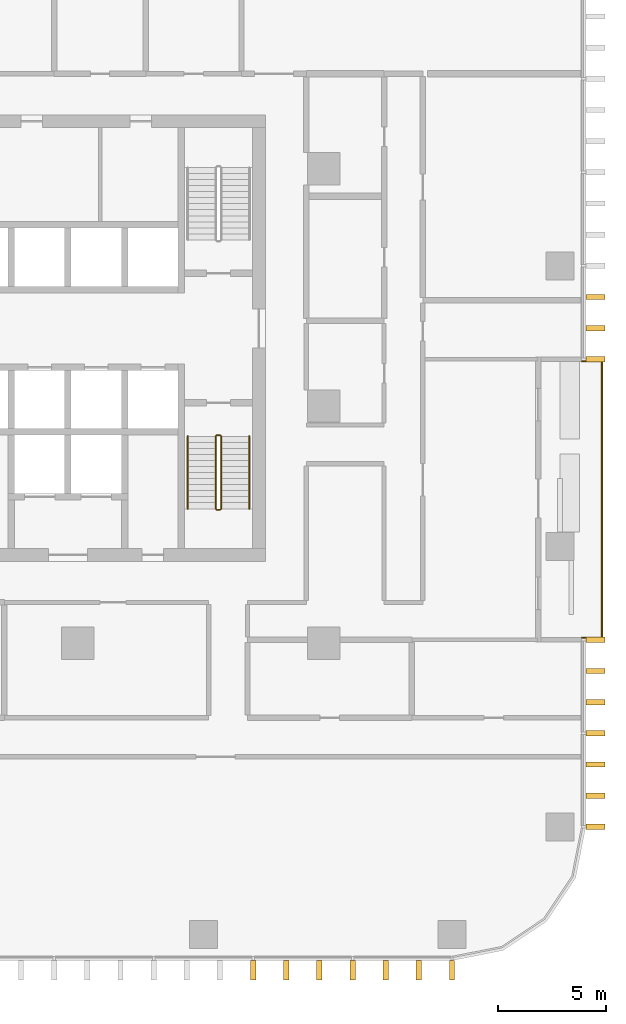
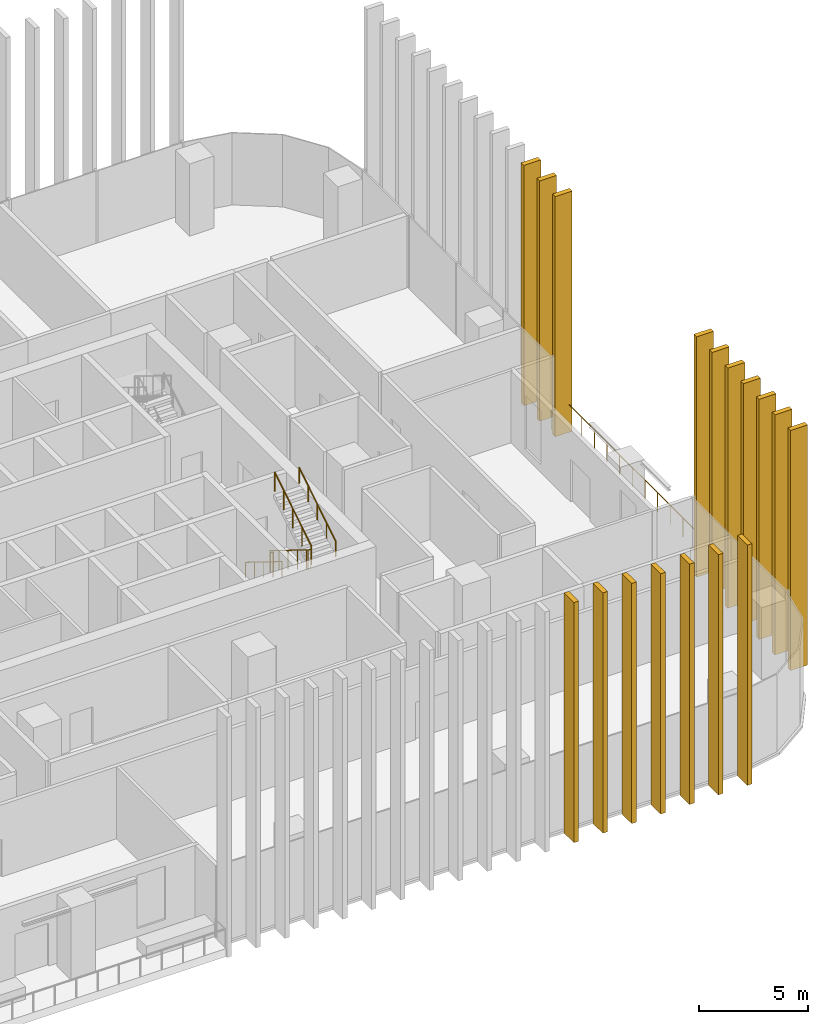
# One storey, part 14 of 17: 17 shading devices, 6 railings.
"""IFC4 building model written with IfcOpenShell, lengths in metres."""

from ifc_helpers import new_model, si_unit, direction, frame, origin, origin_2d, place, context, subcontext, project, spatial, rectangle, circle, extrude, material, type_object, element, save


model = new_model("IFC4")

# Units and contexts
model_context = context("Model", 3, precision=1e-05, world=origin(), true_north=direction((0.0, 1.0)))
body_context = subcontext(model_context, "Body", "Model", "MODEL_VIEW")
ifc_project = project(units=[si_unit("LENGTHUNIT", "METRE"), si_unit("AREAUNIT", "SQUARE_METRE"), si_unit("VOLUMEUNIT", "CUBIC_METRE"), si_unit("PLANEANGLEUNIT", "RADIAN"), si_unit("MASSUNIT", "GRAM", prefix="KILO")], contexts=[model_context])

# Site, building, storey
site_placement = place(None, origin())
site = spatial("IfcSite", under=ifc_project, at=site_placement, CompositionType="ELEMENT")
building_placement = place(site_placement, origin())
building = spatial("IfcBuilding", under=site, at=building_placement, Name="Mopane Tessera Tower", CompositionType="ELEMENT")
storey_placement = place(building_placement, frame((0.0, 0.0, 121.60009765625)))
storey = spatial("IfcBuildingStorey", under=building, at=storey_placement, Name="L24", CompositionType="ELEMENT", Elevation=121.60009765625)

# Shading devices
ifc_material_1 = material(Name="Glazed ceramic tile")
shading_device_type = type_object("IfcShadingDeviceType", Name="Ceramic tile fin 900 x 250 mm", PredefinedType="USERDEFINED", material=ifc_material_1)
for number, where, z_axis, x_axis, name in (
    (1, (13.830078125, -26.14990234375, -0.4501953125), (0.0, 0.0, 1.0), (1.0, 0.0, 0.0), "e:fin:L24:S:8:0"),
    (2, (15.36669921875, -26.14990234375, -0.4501953125), (0.0, 0.0, 1.0), (1.0, 0.0, 0.0), "e:fin:L24:S:8:1"),
    (3, (16.9033203125, -26.14990234375, -0.4501953125), (0.0, 0.0, 1.0), (1.0, 0.0, 0.0), "e:fin:L24:S:8:2"),
    (4, (18.43994140625, -26.14990234375, -0.4501953125), (0.0, 0.0, 1.0), (1.0, 0.0, 0.0), "e:fin:L24:S:9:0"),
    (5, (19.9765625, -26.14990234375, -0.4501953125), (0.0, 0.0, 1.0), (1.0, 0.0, 0.0), "e:fin:L24:S:9:1"),
    (6, (21.513427734375, -26.14990234375, -0.4501953125), (0.0, 0.0, 1.0), (1.0, 0.0, 0.0), "e:fin:L24:S:9:2"),
    (7, (23.050048828125, -26.14990234375, -0.4501953125), (0.0, 0.0, 1.0), (1.0, 0.0, 0.0), "e:fin:L24:S:9:3"),
    (8, (29.699951171875, -19.5, -0.4501953125), (0.0, 0.0, 1.0), (0.0, 1.0, 0.0), "e:fin:L24:E:0:0"),
    (9, (29.699951171875, -18.0556640625, -0.4501953125), (0.0, 0.0, 1.0), (0.0, 1.0, 0.0), "e:fin:L24:E:0:1"),
    (10, (29.699951171875, -16.611083984375, -0.4501953125), (0.0, 0.0, 1.0), (0.0, 1.0, 0.0), "e:fin:L24:E:0:2"),
    (11, (29.699951171875, -15.166748046875, -0.4501953125), (0.0, 0.0, 1.0), (0.0, 1.0, 0.0), "e:fin:L24:E:1:0"),
    (12, (29.699951171875, -13.72216796875, -0.4501953125), (0.0, 0.0, 1.0), (0.0, 1.0, 0.0), "e:fin:L24:E:1:1"),
    (13, (29.699951171875, -12.27783203125, -0.4501953125), (0.0, 0.0, 1.0), (0.0, 1.0, 0.0), "e:fin:L24:E:1:2"),
    (14, (29.699951171875, -10.833251953125, -0.4501953125), (0.0, 0.0, 1.0), (0.0, 1.0, 0.0), "e:fin:L24:E:1:3"),
    (15, (29.699951171875, 2.166748046875, -0.4501953125), (0.0, 0.0, 1.0), (0.0, 1.0, 0.0), "e:fin:L24:E:5:0"),
    (16, (29.699951171875, 3.611083984375, -0.4501953125), (0.0, 0.0, 1.0), (0.0, 1.0, 0.0), "e:fin:L24:E:5:1"),
    (17, (29.699951171875, 5.0556640625, -0.4501953125), (0.0, 0.0, 1.0), (0.0, 1.0, 0.0), "e:fin:L24:E:5:2"),
):
    element("IfcShadingDevice", number, at=place(storey_placement, frame(where, z_axis=z_axis, x_axis=x_axis)), inside=storey, type_object=shading_device_type, Name=name, ObjectType="FIN", PredefinedType="USERDEFINED", context=body_context, shape_type="SweptSolid", body=[
        extrude(rectangle(XDim=0.25, YDim=0.89990234375, at=origin_2d()), origin(), (0.0, 0.0, 1.0), 13.5),
    ])

# Railings
ifc_material_2 = material(Name="Powder-coated steel balustrade", Category="steel")
railing_type_1 = type_object("IfcRailingType", Name="Escape stair guard 1100 mm", PredefinedType="GUARDRAIL", material=ifc_material_2)
railing_1_placement = place(storey_placement, frame((12.10009765625, -1.39990234375, 0.173095703125)))
element("IfcRailing", 18, at=railing_1_placement, inside=storey, type_object=railing_type_1, Name="L24 ST3 stair guard 1", PredefinedType="GUARDRAIL", context=body_context, shape_type="SweptSolid", body=[
    extrude(circle(Radius=0.02392578125, at=origin_2d()), frame((0.0, 0.0, 1.076171875), z_axis=(0.0, -0.850623216509, 0.525775754039), x_axis=(1.0, 0.0, 0.0)), (0.0, 0.0, 1.0), 3.9501953125),
    extrude(circle(Radius=0.02392578125, at=origin_2d()), frame((0.0, -3.360107421875, 3.15283203125), z_axis=(0.705375805398, -0.708833529934, 0.0), x_axis=(0.708833529934, 0.705375805398, 0.0)), (0.0, 0.0, 1.0), 0.070556640625),
    extrude(circle(Radius=0.02392578125, at=origin_2d()), frame((0.0498046875, -3.41015625, 3.15283203125), z_axis=(1.0, 0.0, 0.0), x_axis=(0.0, 1.0, 0.0)), (0.0, 0.0, 1.0), 0.150146484375),
    extrude(circle(Radius=0.02099609375, at=origin_2d()), origin(), (0.0, 0.0, 1.0), 1.052001953125),
    extrude(circle(Radius=0.02099609375, at=origin_2d()), frame((0.0, -0.840087890625, 0.519287109375)), (0.0, 0.0, 1.0), 1.052001953125),
    extrude(circle(Radius=0.02099609375, at=origin_2d()), frame((0.0, -1.68017578125, 1.03857421875)), (0.0, 0.0, 1.0), 1.052001953125),
    extrude(circle(Radius=0.02099609375, at=origin_2d()), frame((0.0, -2.52001953125, 1.5576171875)), (0.0, 0.0, 1.0), 1.052001953125),
    extrude(circle(Radius=0.02099609375, at=origin_2d()), frame((0.0, -3.360107421875, 2.076904296875)), (0.0, 0.0, 1.0), 1.052001953125),
    extrude(circle(Radius=0.02099609375, at=origin_2d()), frame((0.0498046875, -3.41015625, 2.076904296875)), (0.0, 0.0, 1.0), 1.052001953125),
    extrude(circle(Radius=0.02099609375, at=origin_2d()), frame((0.199951171875, -3.41015625, 2.076904296875)), (0.0, 0.0, 1.0), 1.052001953125),
])
railing_2_placement = place(storey_placement, frame((12.35009765625, -4.760009765625, 2.423095703125)))
element("IfcRailing", 19, at=railing_2_placement, inside=storey, type_object=railing_type_1, Name="L24 ST3 stair guard 2", PredefinedType="GUARDRAIL", context=body_context, shape_type="SweptSolid", body=[
    extrude(circle(Radius=0.02392578125, at=origin_2d()), frame((0.0, 0.0, 1.076171875), z_axis=(0.0, 0.850623216509, 0.525775754039), x_axis=(-1.0, 0.0, 0.0)), (0.0, 0.0, 1.0), 3.9501953125),
    extrude(circle(Radius=0.02099609375, at=origin_2d()), origin(), (0.0, 0.0, 1.0), 1.052001953125),
    extrude(circle(Radius=0.02099609375, at=origin_2d()), frame((0.0, 0.840087890625, 0.519287109375)), (0.0, 0.0, 1.0), 1.052001953125),
    extrude(circle(Radius=0.02099609375, at=origin_2d()), frame((0.0, 1.68017578125, 1.03857421875)), (0.0, 0.0, 1.0), 1.052001953125),
    extrude(circle(Radius=0.02099609375, at=origin_2d()), frame((0.0, 2.52001953125, 1.5576171875)), (0.0, 0.0, 1.0), 1.052001953125),
    extrude(circle(Radius=0.02099609375, at=origin_2d()), frame((0.0, 3.360107421875, 2.076904296875)), (0.0, 0.0, 1.0), 1.052001953125),
])
railing_3_placement = place(storey_placement, frame((12.14990234375, -1.35009765625, 0.0)))
element("IfcRailing", 20, at=railing_3_placement, inside=storey, type_object=railing_type_1, Name="L24 ST3 stair guard 3", PredefinedType="GUARDRAIL", context=body_context, shape_type="SweptSolid", body=[
    extrude(circle(Radius=0.02392578125, at=origin_2d()), frame((0.0, 0.0, 1.076171875), z_axis=(1.0, 0.0, 0.0), x_axis=(0.0, 1.0, 0.0)), (0.0, 0.0, 1.0), 0.150146484375),
    extrude(circle(Radius=0.02099609375, at=origin_2d()), origin(), (0.0, 0.0, 1.0), 1.052001953125),
    extrude(circle(Radius=0.02099609375, at=origin_2d()), frame((0.150146484375, 0.0, 0.0)), (0.0, 0.0, 1.0), 1.052001953125),
])
ifc_material_3 = material(Name="Powder-coated steel balustrade", Category="steel")
railing_type_2 = type_object("IfcRailingType", Name="Escape stair handrail 900 mm", PredefinedType="HANDRAIL", material=ifc_material_3)
railing_4_placement = place(storey_placement, frame((10.800048828125, -1.39990234375, 0.173095703125)))
element("IfcRailing", 21, at=railing_4_placement, inside=storey, type_object=railing_type_2, Name="L24 ST3 stair handrail 1", PredefinedType="HANDRAIL", context=body_context, shape_type="SweptSolid", body=[
    extrude(circle(Radius=0.02392578125, at=origin_2d()), frame((0.0, 0.0, 0.8759765625), z_axis=(0.0, -0.850623216509, 0.525775754039), x_axis=(1.0, 0.0, 0.0)), (0.0, 0.0, 1.0), 3.9501953125),
    extrude(circle(Radius=0.02099609375, at=origin_2d()), origin(), (0.0, 0.0, 1.0), 0.851806640625),
    extrude(circle(Radius=0.02099609375, at=origin_2d()), frame((0.0, -0.840087890625, 0.519287109375)), (0.0, 0.0, 1.0), 0.851806640625),
    extrude(circle(Radius=0.02099609375, at=origin_2d()), frame((0.0, -1.68017578125, 1.03857421875)), (0.0, 0.0, 1.0), 0.851806640625),
    extrude(circle(Radius=0.02099609375, at=origin_2d()), frame((0.0, -2.52001953125, 1.5576171875)), (0.0, 0.0, 1.0), 0.851806640625),
    extrude(circle(Radius=0.02099609375, at=origin_2d()), frame((0.0, -3.360107421875, 2.076904296875)), (0.0, 0.0, 1.0), 0.851806640625),
])
railing_5_placement = place(storey_placement, frame((13.64990234375, -4.760009765625, 2.423095703125)))
element("IfcRailing", 22, at=railing_5_placement, inside=storey, type_object=railing_type_2, Name="L24 ST3 stair handrail 2", PredefinedType="HANDRAIL", context=body_context, shape_type="SweptSolid", body=[
    extrude(circle(Radius=0.02392578125, at=origin_2d()), frame((0.0, 0.0, 0.8759765625), z_axis=(0.0, 0.850623216509, 0.525775754039), x_axis=(-1.0, 0.0, 0.0)), (0.0, 0.0, 1.0), 3.9501953125),
    extrude(circle(Radius=0.02099609375, at=origin_2d()), origin(), (0.0, 0.0, 1.0), 0.851806640625),
    extrude(circle(Radius=0.02099609375, at=origin_2d()), frame((0.0, 0.840087890625, 0.519287109375)), (0.0, 0.0, 1.0), 0.851806640625),
    extrude(circle(Radius=0.02099609375, at=origin_2d()), frame((0.0, 1.68017578125, 1.03857421875)), (0.0, 0.0, 1.0), 0.851806640625),
    extrude(circle(Radius=0.02099609375, at=origin_2d()), frame((0.0, 2.52001953125, 1.5576171875)), (0.0, 0.0, 1.0), 0.851806640625),
    extrude(circle(Radius=0.02099609375, at=origin_2d()), frame((0.0, 3.360107421875, 2.076904296875)), (0.0, 0.0, 1.0), 0.851806640625),
])
ifc_material_4 = material(Name="Stainless steel S316", Category="steel")
railing_type_3 = type_object("IfcRailingType", Name="Terrace guard 1100", PredefinedType="GUARDRAIL", material=ifc_material_4)
railing_6_placement = place(storey_placement, frame((29.050048828125, -10.7333984375, 0.0)))
element("IfcRailing", 23, at=railing_6_placement, inside=storey, type_object=railing_type_3, Name="e:nw:L24:N3:guard", PredefinedType="GUARDRAIL", context=body_context, shape_type="SweptSolid", body=[
    extrude(circle(Radius=0.02392578125, at=origin_2d()), frame((0.0, 0.0, 1.076171875), z_axis=(1.0, 0.0, 0.0), x_axis=(0.0, 1.0, 0.0)), (0.0, 0.0, 1.0), 0.949951171875),
    extrude(circle(Radius=0.02392578125, at=origin_2d()), frame((0.949951171875, 0.0, 1.076171875), z_axis=(0.0, 1.0, 0.0), x_axis=(-1.0, 0.0, 0.0)), (0.0, 0.0, 1.0), 12.800048828125),
    extrude(circle(Radius=0.02392578125, at=origin_2d()), frame((0.949951171875, 12.800048828125, 1.076171875), z_axis=(-1.0, 0.0, 0.0), x_axis=(0.0, -1.0, 0.0)), (0.0, 0.0, 1.0), 0.949951171875),
    extrude(circle(Radius=0.02099609375, at=origin_2d()), origin(), (0.0, 0.0, 1.0), 1.052001953125),
    extrude(circle(Radius=0.02099609375, at=origin_2d()), frame((0.949951171875, 0.0, 0.0)), (0.0, 0.0, 1.0), 1.052001953125),
    extrude(circle(Radius=0.02099609375, at=origin_2d()), frame((0.949951171875, 1.16357421875, 0.0)), (0.0, 0.0, 1.0), 1.052001953125),
    extrude(circle(Radius=0.02099609375, at=origin_2d()), frame((0.949951171875, 2.327392578125, 0.0)), (0.0, 0.0, 1.0), 1.052001953125),
    extrude(circle(Radius=0.02099609375, at=origin_2d()), frame((0.949951171875, 3.490966796875, 0.0)), (0.0, 0.0, 1.0), 1.052001953125),
    extrude(circle(Radius=0.02099609375, at=origin_2d()), frame((0.949951171875, 4.654541015625, 0.0)), (0.0, 0.0, 1.0), 1.052001953125),
    extrude(circle(Radius=0.02099609375, at=origin_2d()), frame((0.949951171875, 5.818115234375, 0.0)), (0.0, 0.0, 1.0), 1.052001953125),
    extrude(circle(Radius=0.02099609375, at=origin_2d()), frame((0.949951171875, 6.98193359375, 0.0)), (0.0, 0.0, 1.0), 1.052001953125),
    extrude(circle(Radius=0.02099609375, at=origin_2d()), frame((0.949951171875, 8.1455078125, 0.0)), (0.0, 0.0, 1.0), 1.052001953125),
    extrude(circle(Radius=0.02099609375, at=origin_2d()), frame((0.949951171875, 9.30908203125, 0.0)), (0.0, 0.0, 1.0), 1.052001953125),
    extrude(circle(Radius=0.02099609375, at=origin_2d()), frame((0.949951171875, 10.47265625, 0.0)), (0.0, 0.0, 1.0), 1.052001953125),
    extrude(circle(Radius=0.02099609375, at=origin_2d()), frame((0.949951171875, 11.636474609375, 0.0)), (0.0, 0.0, 1.0), 1.052001953125),
    extrude(circle(Radius=0.02099609375, at=origin_2d()), frame((0.949951171875, 12.800048828125, 0.0)), (0.0, 0.0, 1.0), 1.052001953125),
    extrude(circle(Radius=0.02099609375, at=origin_2d()), frame((0.0, 12.800048828125, 0.0)), (0.0, 0.0, 1.0), 1.052001953125),
])

save(model, "model.ifc")
